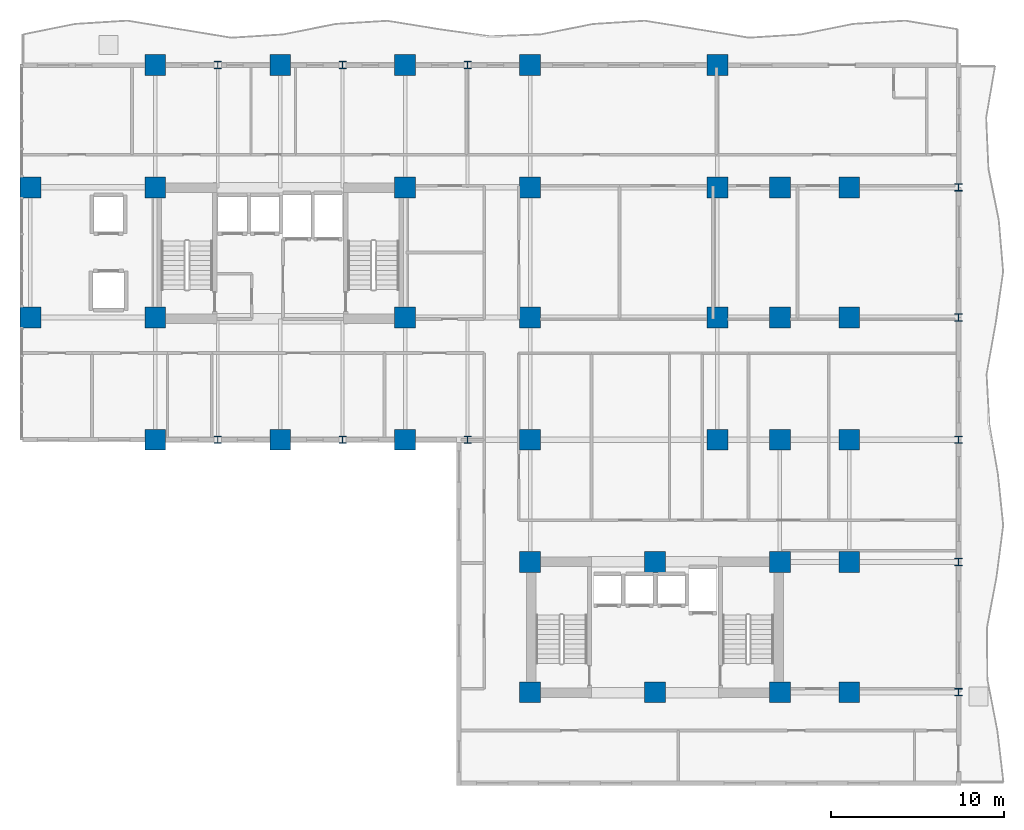
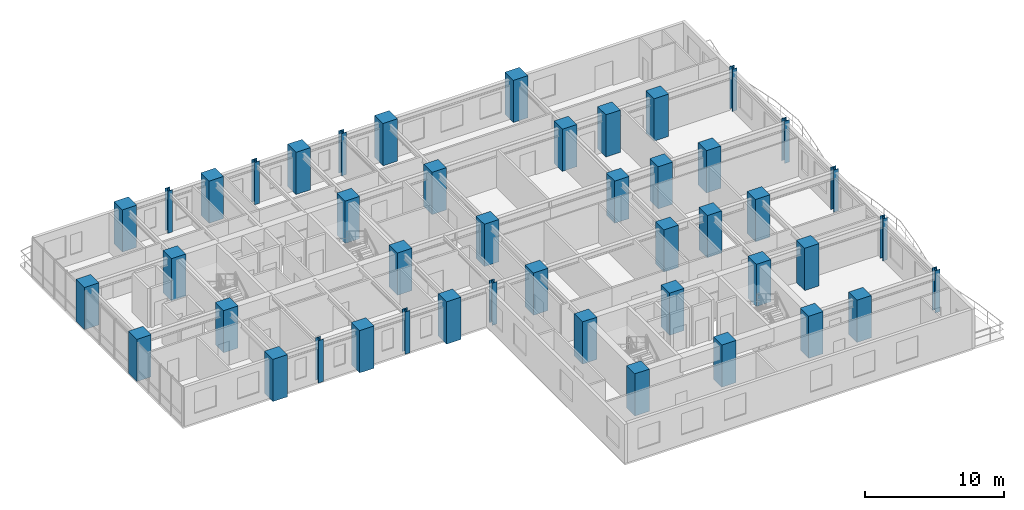
# One storey, part 1 of 18: 45 columns.
"""IFC4 building model written with IfcOpenShell, lengths in metres."""

from ifc_helpers import new_model, si_unit, direction, frame, origin, origin_2d, place, context, subcontext, project, spatial, rectangle, i_section, extrude, source, transform, mapped, material, material_profile, profile_set, type_object, element, save


model = new_model("IFC4")

# Units and contexts
model_context = context("Model", 3, precision=1e-05, world=origin(), true_north=direction((0.0, 1.0)))
body_context = subcontext(model_context, "Body", "Model", "MODEL_VIEW")
ifc_project = project(units=[si_unit("LENGTHUNIT", "METRE"), si_unit("AREAUNIT", "SQUARE_METRE"), si_unit("VOLUMEUNIT", "CUBIC_METRE"), si_unit("PLANEANGLEUNIT", "RADIAN"), si_unit("MASSUNIT", "GRAM", prefix="KILO")], contexts=[model_context])

# Site, building, storey
site_placement = place(None, origin())
site = spatial("IfcSite", under=ifc_project, at=site_placement, CompositionType="ELEMENT")
building_placement = place(site_placement, origin())
building = spatial("IfcBuilding", under=site, at=building_placement, Name="Kaliganga Portal Commons", CompositionType="ELEMENT")
storey_placement = place(building_placement, frame((0.0, 0.0, 93.39990234375)))
storey = spatial("IfcBuildingStorey", under=building, at=storey_placement, Name="L23", CompositionType="ELEMENT", Elevation=93.39990234375)

# Columns
ifc_material_1 = material(Name="Concrete C60/75", Category="concrete")
ifc_material_profile_1 = material_profile(ifc_material_1, rectangle(XDim=1.199951171875, YDim=1.199951171875, at=origin_2d()), Name="RC 1200x1200")
ifc_profile_set_1 = profile_set([ifc_material_profile_1], Name="Concrete C60/75")
column_type_1 = type_object("IfcColumnType", Name="COL-MEGA-Z2", PredefinedType="COLUMN", material=ifc_profile_set_1)
shared_shape_1 = source(origin(), body_context, "Body", "SweptSolid", [
    extrude(rectangle(XDim=1.199951171875, YDim=1.199951171875, at=origin_2d()), origin(), (0.0, 0.0, 1.0), 3.7001953125),
])
for number, where, z_axis, x_axis, name in (
    (1, (7.199951171875, 28.64990234375, 0.0), (0.0, 0.0, 1.0), (1.0, 0.0, 0.0), "Column MC-03 L23"),
    (2, (7.199951171875, 36.14990234375, 0.0), (0.0, 0.0, 1.0), (1.0, 0.0, 0.0), "Column MC-03 L23"),
    (3, (14.39990234375, 21.60009765625, 0.0), (0.0, 0.0, 1.0), (1.0, 0.0, 0.0), "Column MC-03 L23"),
    (4, (14.39990234375, 28.64990234375, 0.0), (0.0, 0.0, 1.0), (1.0, 0.0, 0.0), "Column MC-03 L23"),
    (5, (14.39990234375, 36.14990234375, 0.0), (0.0, 0.0, 1.0), (1.0, 0.0, 0.0), "Column MC-03 L23"),
    (6, (14.39990234375, 43.199951171875, 0.0), (0.0, 0.0, 1.0), (1.0, 0.0, 0.0), "Column MC-03 L23"),
    (7, (21.60009765625, 21.60009765625, 0.0), (0.0, 0.0, 1.0), (1.0, 0.0, 0.0), "Column MC-03 L23"),
    (8, (21.60009765625, 43.199951171875, 0.0), (0.0, 0.0, 1.0), (1.0, 0.0, 0.0), "Column MC-03 L23"),
    (9, (28.800048828125, 21.60009765625, 0.0), (0.0, 0.0, 1.0), (1.0, 0.0, 0.0), "Column MC-03 L23"),
    (10, (28.800048828125, 28.64990234375, 0.0), (0.0, 0.0, 1.0), (1.0, 0.0, 0.0), "Column MC-03 L23"),
    (11, (28.800048828125, 36.14990234375, 0.0), (0.0, 0.0, 1.0), (1.0, 0.0, 0.0), "Column MC-03 L23"),
    (12, (28.800048828125, 43.199951171875, 0.0), (0.0, 0.0, 1.0), (1.0, 0.0, 0.0), "Column MC-03 L23"),
    (13, (36.0, 21.60009765625, 0.0), (0.0, 0.0, 1.0), (1.0, 0.0, 0.0), "Column MC-03 L23"),
    (14, (36.0, 43.199951171875, 0.0), (0.0, 0.0, 1.0), (1.0, 0.0, 0.0), "Column MC-03 L23"),
    (15, (36.0, 28.64990234375, 0.0), (0.0, 0.0, 1.0), (1.0, 0.0, 0.0), "Column MC-03 L23"),
    (16, (36.0, 36.14990234375, 0.0), (0.0, 0.0, 1.0), (1.0, 0.0, 0.0), "Column MC-03 L23"),
    (17, (46.800048828125, 21.60009765625, 0.0), (0.0, 0.0, 1.0), (1.0, 0.0, 0.0), "Column MC-03 L23"),
    (18, (46.800048828125, 28.64990234375, 0.0), (0.0, 0.0, 1.0), (1.0, 0.0, 0.0), "Column MC-03 L23"),
    (19, (46.800048828125, 36.14990234375, 0.0), (0.0, 0.0, 1.0), (1.0, 0.0, 0.0), "Column MC-03 L23"),
    (20, (46.800048828125, 43.199951171875, 0.0), (0.0, 0.0, 1.0), (1.0, 0.0, 0.0), "Column MC-03 L23"),
    (21, (36.0, 7.050048828125, 0.0), (0.0, 0.0, 1.0), (1.0, 0.0, 0.0), "Column MC-03 L23"),
    (22, (36.0, 14.550048828125, 0.0), (0.0, 0.0, 1.0), (1.0, 0.0, 0.0), "Column MC-03 L23"),
    (23, (43.199951171875, 7.050048828125, 0.0), (0.0, 0.0, 1.0), (1.0, 0.0, 0.0), "Column MC-03 L23"),
    (24, (43.199951171875, 14.550048828125, 0.0), (0.0, 0.0, 1.0), (1.0, 0.0, 0.0), "Column MC-03 L23"),
    (25, (50.39990234375, 7.050048828125, 0.0), (0.0, 0.0, 1.0), (1.0, 0.0, 0.0), "Column MC-03 L23"),
    (26, (50.39990234375, 14.550048828125, 0.0), (0.0, 0.0, 1.0), (1.0, 0.0, 0.0), "Column MC-03 L23"),
    (27, (50.39990234375, 21.60009765625, 0.0), (0.0, 0.0, 1.0), (1.0, 0.0, 0.0), "Column MC-03 L23"),
    (28, (50.39990234375, 28.64990234375, 0.0), (0.0, 0.0, 1.0), (1.0, 0.0, 0.0), "Column MC-03 L23"),
    (29, (50.39990234375, 36.14990234375, 0.0), (0.0, 0.0, 1.0), (1.0, 0.0, 0.0), "Column MC-03 L23"),
    (30, (54.39990234375, 7.050048828125, 0.0), (0.0, 0.0, 1.0), (1.0, 0.0, 0.0), "Column MC-03 L23"),
    (31, (54.39990234375, 14.550048828125, 0.0), (0.0, 0.0, 1.0), (1.0, 0.0, 0.0), "Column MC-03 L23"),
    (32, (54.39990234375, 21.60009765625, 0.0), (0.0, 0.0, 1.0), (1.0, 0.0, 0.0), "Column MC-03 L23"),
    (33, (54.39990234375, 28.64990234375, 0.0), (0.0, 0.0, 1.0), (1.0, 0.0, 0.0), "Column MC-03 L23"),
    (34, (54.39990234375, 36.14990234375, 0.0), (0.0, 0.0, 1.0), (1.0, 0.0, 0.0), "Column MC-03 L23"),
):
    element("IfcColumn", number, at=place(storey_placement, frame(where, z_axis=z_axis, x_axis=x_axis)), inside=storey, type_object=column_type_1, Name=name, PredefinedType="COLUMN", context=body_context, shape_type="MappedRepresentation", body=[
        mapped(shared_shape_1, transform((0.0, 0.0, 0.0), x_axis=(1.0, 0.0, 0.0), y_axis=(0.0, 1.0, 0.0), z_axis=(0.0, 0.0, 1.0), scale=1.0)),
    ])
ifc_material_2 = material(Name="Structural steel S460M", Category="steel")
ifc_material_profile_2 = material_profile(ifc_material_2, i_section(OverallWidth=0.408935546875, OverallDepth=0.429931640625, WebThickness=0.0244140625, FlangeThickness=0.033447265625, FilletRadius=0.014892578125, at=origin_2d()), Name="HD 400x421")
ifc_profile_set_2 = profile_set([ifc_material_profile_2], Name="Structural steel S460M wide-flange")
column_type_2 = type_object("IfcColumnType", Name="COL-TUBE-B2", PredefinedType="COLUMN", material=ifc_profile_set_2)
shared_shape_2 = source(origin(), body_context, "Body", "SweptSolid", [
    extrude(i_section(OverallWidth=0.408935546875, OverallDepth=0.429931640625, WebThickness=0.0244140625, FlangeThickness=0.033447265625, FilletRadius=0.014892578125, at=origin_2d()), origin(), (0.0, 0.0, 1.0), 3.7001953125),
])
for number, where, z_axis, x_axis, name in (
    (35, (18.0, 21.60009765625, 0.0), (0.0, 0.0, 1.0), (1.0, 0.0, 0.0), "Column TC-02 L23"),
    (36, (18.0, 43.199951171875, 0.0), (0.0, 0.0, 1.0), (1.0, 0.0, 0.0), "Column TC-02 L23"),
    (37, (25.199951171875, 21.60009765625, 0.0), (0.0, 0.0, 1.0), (1.0, 0.0, 0.0), "Column TC-02 L23"),
    (38, (25.199951171875, 43.199951171875, 0.0), (0.0, 0.0, 1.0), (1.0, 0.0, 0.0), "Column TC-02 L23"),
    (39, (32.39990234375, 21.60009765625, 0.0), (0.0, 0.0, 1.0), (1.0, 0.0, 0.0), "Column TC-02 L23"),
    (40, (32.39990234375, 43.199951171875, 0.0), (0.0, 0.0, 1.0), (1.0, 0.0, 0.0), "Column TC-02 L23"),
    (41, (60.699951171875, 7.050048828125, 0.0), (0.0, 0.0, 1.0), (1.0, 0.0, 0.0), "Column TC-02 L23"),
    (42, (60.699951171875, 14.550048828125, 0.0), (0.0, 0.0, 1.0), (1.0, 0.0, 0.0), "Column TC-02 L23"),
    (43, (60.699951171875, 21.60009765625, 0.0), (0.0, 0.0, 1.0), (1.0, 0.0, 0.0), "Column TC-02 L23"),
    (44, (60.699951171875, 28.64990234375, 0.0), (0.0, 0.0, 1.0), (1.0, 0.0, 0.0), "Column TC-02 L23"),
    (45, (60.699951171875, 36.14990234375, 0.0), (0.0, 0.0, 1.0), (1.0, 0.0, 0.0), "Column TC-02 L23"),
):
    element("IfcColumn", number, at=place(storey_placement, frame(where, z_axis=z_axis, x_axis=x_axis)), inside=storey, type_object=column_type_2, Name=name, PredefinedType="COLUMN", context=body_context, shape_type="MappedRepresentation", body=[
        mapped(shared_shape_2, transform((0.0, 0.0, 0.0), x_axis=(1.0, 0.0, 0.0), y_axis=(0.0, 1.0, 0.0), z_axis=(0.0, 0.0, 1.0), scale=1.0)),
    ])

save(model, "model.ifc")
